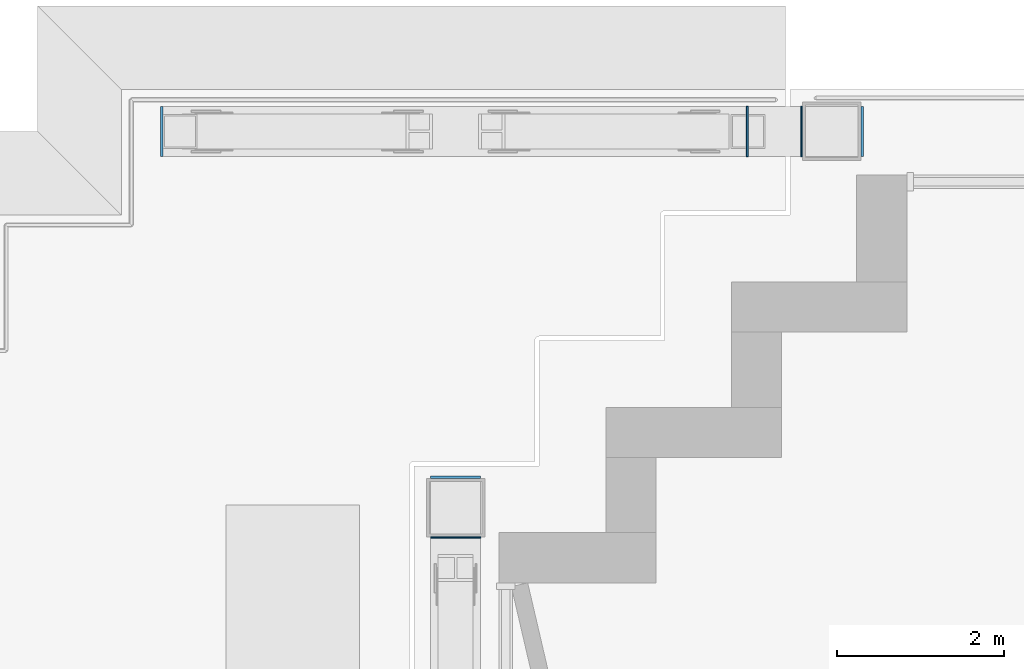
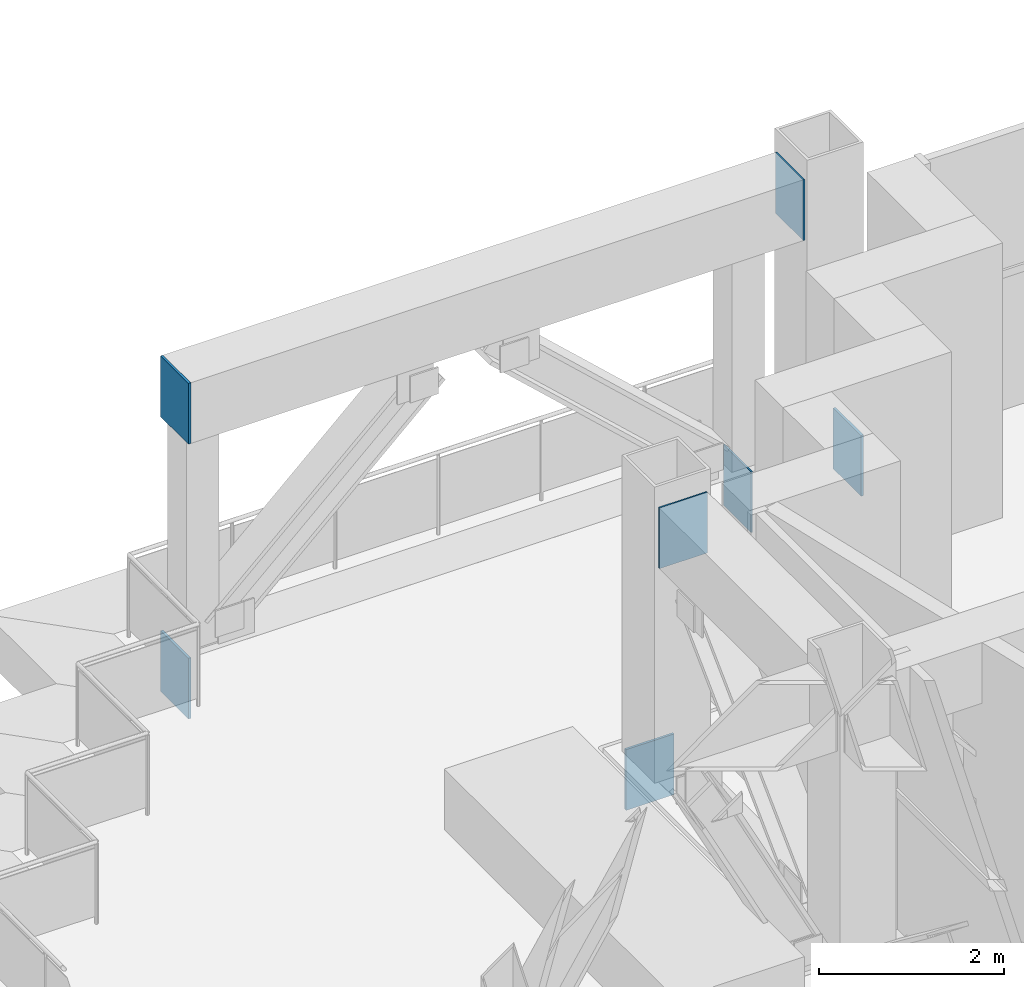
# One storey, part 12 of 21: 7 discrete accessories.
"""IFC4 building model written with IfcOpenShell, lengths in metres."""

from ifc_helpers import new_model, si_unit, direction, frame, origin, origin_2d, place, context, subcontext, project, spatial, rectangle, extrude, element, save


model = new_model("IFC4")

# Units and contexts
model_context = context("Model", 3, precision=1e-05, world=origin(), true_north=direction((0.0, 1.0)))
body_context = subcontext(model_context, "Body", "Model", "MODEL_VIEW")
ifc_project = project(units=[si_unit("LENGTHUNIT", "METRE"), si_unit("AREAUNIT", "SQUARE_METRE"), si_unit("VOLUMEUNIT", "CUBIC_METRE"), si_unit("PLANEANGLEUNIT", "RADIAN"), si_unit("MASSUNIT", "GRAM", prefix="KILO")], contexts=[model_context])

# Site, building, storey
site_placement = place(None, origin())
site = spatial("IfcSite", under=ifc_project, at=site_placement, CompositionType="ELEMENT")
building_placement = place(site_placement, origin())
building = spatial("IfcBuilding", under=site, at=building_placement, Name="Vidyagriha Tower", CompositionType="ELEMENT")
storey_placement = place(building_placement, frame((0.0, 0.0, 161.39990234375)))
storey = spatial("IfcBuildingStorey", under=building, at=storey_placement, Name="L41", CompositionType="ELEMENT", Elevation=161.39990234375)

# Discrete accessories
discrete_accessory_1_placement = place(storey_placement, frame((-29.014892578125, 19.5, -0.7998046875), z_axis=(0.0, 0.0, 1.0), x_axis=(-1.0, 0.0, 0.0)))
element("IfcDiscreteAccessory", 1, at=discrete_accessory_1_placement, inside=storey, Name="Chord end plate", ObjectType="END PLATE", PredefinedType="USERDEFINED", context=body_context, shape_type="SweptSolid", body=[
    extrude(rectangle(XDim=0.030029296875, YDim=0.60009765625, at=origin_2d()), origin(), (0.0, 0.0, 1.0), 0.800048828125),
])
discrete_accessory_2_placement = place(storey_placement, frame((-20.635009765625, 19.5, -0.7998046875)))
element("IfcDiscreteAccessory", 2, at=discrete_accessory_2_placement, inside=storey, Name="Chord end plate", ObjectType="END PLATE", PredefinedType="USERDEFINED", context=body_context, shape_type="SweptSolid", body=[
    extrude(rectangle(XDim=0.030029296875, YDim=0.60009765625, at=origin_2d()), origin(), (0.0, 0.0, 1.0), 0.800048828125),
])
for number, where, z_axis, x_axis, name in (
    (3, (-29.014892578125, 19.5, 2.8203125), (0.0, 0.0, 1.0), (-1.0, 0.0, 0.0), "Chord end plate"),
    (4, (-25.5, 15.364990234375, -0.7998046875), (0.0, 0.0, 1.0), (0.0, 1.0, 0.0), "Chord end plate"),
):
    element("IfcDiscreteAccessory", number, at=place(storey_placement, frame(where, z_axis=z_axis, x_axis=x_axis)), inside=storey, Name=name, ObjectType="END PLATE", PredefinedType="USERDEFINED", context=body_context, shape_type="SweptSolid", body=[
        extrude(rectangle(XDim=0.030029296875, YDim=0.60009765625, at=origin_2d()), origin(), (0.0, 0.0, 1.0), 0.800048828125),
    ])
for number, where, name in (
    (5, (-22.009765625, 19.5, -0.7998046875), "End plate ASTM A572 Grade 50 20mm"),
    (6, (-21.35986328125, 19.5, 2.8203125), "End plate ASTM A572 Grade 50 20mm"),
):
    element("IfcDiscreteAccessory", number, at=place(storey_placement, frame(where)), inside=storey, Name=name, ObjectType="END PLATE", PredefinedType="USERDEFINED", context=body_context, shape_type="SweptSolid", body=[
        extrude(rectangle(XDim=0.02001953125, YDim=0.60009765625, at=origin_2d()), origin(), (0.0, 0.0, 1.0), 0.800048828125),
    ])
discrete_accessory_3_placement = place(storey_placement, frame((-25.5, 14.64013671875, 2.8203125), z_axis=(0.0, 0.0, 1.0), x_axis=(0.0, 1.0, 0.0)))
element("IfcDiscreteAccessory", 7, at=discrete_accessory_3_placement, inside=storey, Name="End plate ASTM A572 Grade 50 20mm", ObjectType="END PLATE", PredefinedType="USERDEFINED", context=body_context, shape_type="SweptSolid", body=[
    extrude(rectangle(XDim=0.02001953125, YDim=0.60009765625, at=origin_2d()), origin(), (0.0, 0.0, 1.0), 0.800048828125),
])

save(model, "model.ifc")
